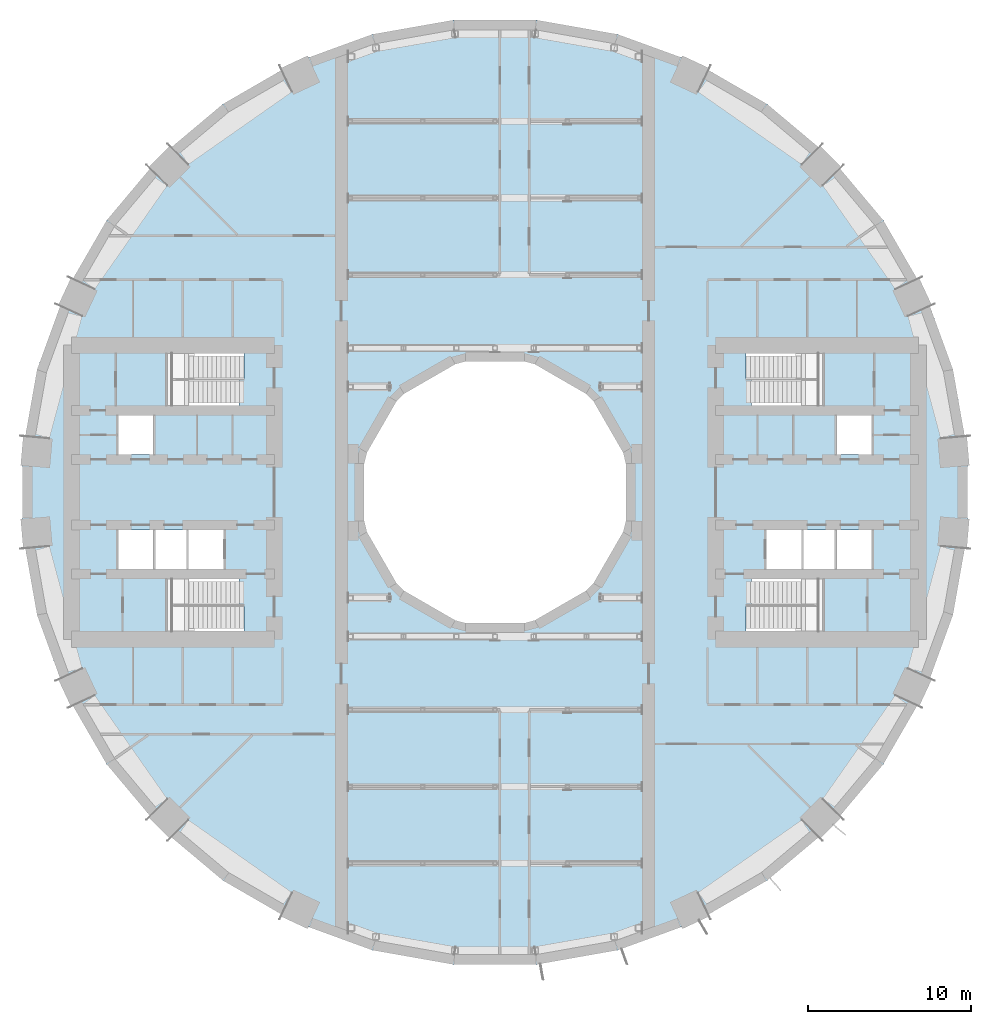
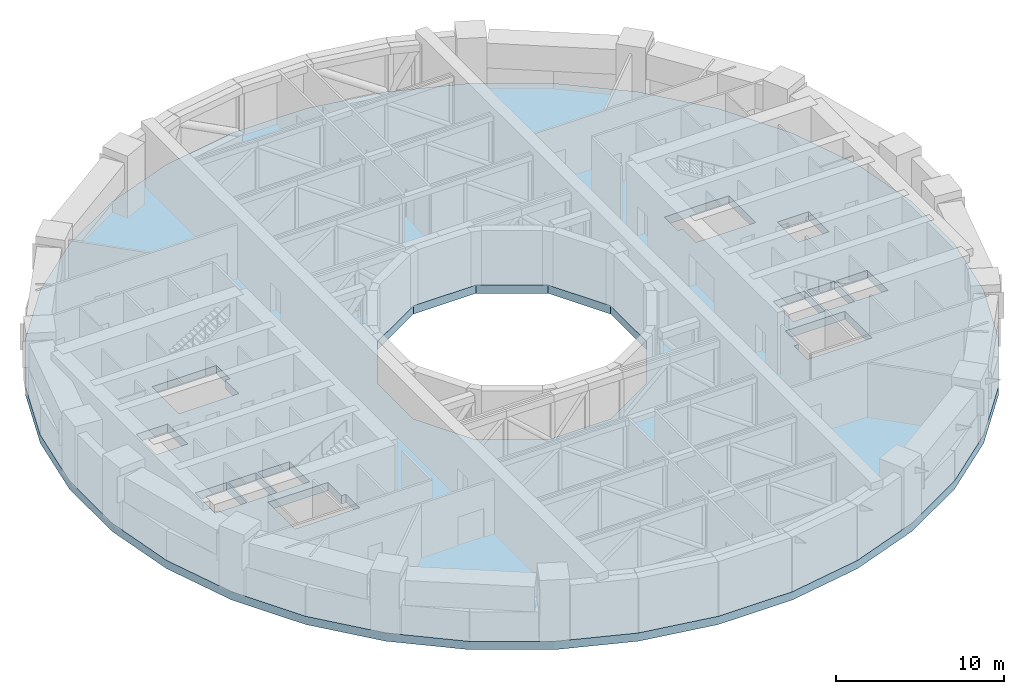
# One storey, part 9 of 21: 1 slab.
"""IFC4 building model written with IfcOpenShell, lengths in metres."""

import ifcopenshell
import ifcopenshell.guid

model = None  # the IFC model being written
_history = None  # IfcOwnerHistory: only IFC2X3 demands one
_inside = {}  # id of a spatial element -> (the spatial element, [elements in it])
_under = {}  # id of a project, library or spatial element -> (it, [spatial elements below it])
_declared = {}  # id of a project -> (the project, [libraries it declares])
_typed = {}  # id of a type object -> (the type object, [elements of that type])
_made_of = {}  # id of a material, layer set ... -> (it, [elements and type objects made of it])


def new_model(schema):
    """Start an empty IFC model of exactly this schema.

    Asked for "IFC4X3", IfcOpenShell would pick the latest addendum, in which some entities
    have other attributes; the version numbers below select the first issue.
    IFC2X3 requires an IfcOwnerHistory on every rooted entity: one is made here for all.
    """
    global model, _history
    if schema == "IFC4X3":
        model = ifcopenshell.file(schema_version=(4, 3, 0, 0))
    else:
        model = ifcopenshell.file(schema=schema)
    _inside.clear()
    _under.clear()
    _declared.clear()
    _typed.clear()
    _made_of.clear()
    _history = None
    if model.schema == "IFC2X3":
        org = make("IfcOrganization", Name="unknown")
        user = make(
            "IfcPersonAndOrganization",
            ThePerson=make("IfcPerson", FamilyName="unknown"),
            TheOrganization=org,
        )
        app = make(
            "IfcApplication",
            ApplicationDeveloper=org,
            Version="unknown",
            ApplicationFullName="unknown",
            ApplicationIdentifier="unknown",
        )
        _history = make(
            "IfcOwnerHistory",
            OwningUser=user,
            OwningApplication=app,
            ChangeAction="ADDED",
            CreationDate=0,
        )
    return model


def make(cls, **values):
    """One entity of the class cls with the attributes given. An attribute that is None is left unset."""
    return model.create_entity(
        cls, **{name: value for name, value in values.items() if value is not None}
    )


def rooted(cls, **values):
    """An entity with a GlobalId (a new one), such as an element, a storey or a relation."""
    return make(cls, GlobalId=ifcopenshell.guid.new(), OwnerHistory=_history, **values)


def si_unit(unit_type, name, prefix=None):
    """IfcSIUnit, for example si_unit("LENGTHUNIT", "METRE", prefix="MILLI")."""
    return make("IfcSIUnit", UnitType=unit_type, Prefix=prefix, Name=name)


def assignment(units):
    """IfcUnitAssignment: the units of a project."""
    return None if units is None else make("IfcUnitAssignment", Units=units)


def point(xyz):
    """IfcCartesianPoint."""
    return None if xyz is None else make("IfcCartesianPoint", Coordinates=xyz)


def direction(xyz):
    """IfcDirection."""
    return None if xyz is None else make("IfcDirection", DirectionRatios=xyz)


def frame(location, z_axis=None, x_axis=None):
    """IfcAxis2Placement3D, a coordinate frame: its origin and axes. An axis left out is left unset."""
    return make(
        "IfcAxis2Placement3D",
        Location=point(location),
        Axis=direction(z_axis),
        RefDirection=direction(x_axis),
    )


def origin():
    """The frame at (0, 0, 0) with its axes left unset."""
    return frame((0.0, 0.0, 0.0))


def place(relative_to, where):
    """IfcLocalPlacement: puts the frame where relative to a parent placement (None: the world)."""
    return make(
        "IfcLocalPlacement", PlacementRelTo=relative_to, RelativePlacement=where
    )


def context(
    kind, dimensions, precision=None, world=None, true_north=None, identifier=None
):
    """IfcGeometricRepresentationContext, for example the 3D "Model" context."""
    return make(
        "IfcGeometricRepresentationContext",
        ContextIdentifier=identifier,
        ContextType=kind,
        CoordinateSpaceDimension=dimensions,
        Precision=precision,
        WorldCoordinateSystem=world,
        TrueNorth=true_north,
    )


def subcontext(parent, identifier, kind, view, scale=None):
    """IfcGeometricRepresentationSubContext, for example "Body" below "Model"."""
    return make(
        "IfcGeometricRepresentationSubContext",
        ContextIdentifier=identifier,
        ContextType=kind,
        ParentContext=parent,
        TargetScale=scale,
        TargetView=view,
    )


def project(units=None, contexts=None):
    """IfcProject with its units and contexts."""
    return rooted(
        "IfcProject",
        Name="project",
        RepresentationContexts=contexts,
        UnitsInContext=assignment(units),
    )


def spatial(cls, under=None, at=None, **own):
    """A site, building, storey or space (cls), placed at a placement, below another one or the project."""
    s = rooted(cls, ObjectPlacement=at, **own)
    if under is not None:
        _under.setdefault(under.id(), (under, []))[1].append(s)
    return s


def polyline(points):
    """IfcPolyline through the points."""
    return make("IfcPolyline", Points=[point(p) for p in points])


def outline(outer, holes=None, kind="AREA"):
    """IfcArbitraryClosedProfileDef: a profile drawn as a closed curve; with holes, ...WithVoids."""
    if holes is None:
        return make("IfcArbitraryClosedProfileDef", ProfileType=kind, OuterCurve=outer)
    return make(
        "IfcArbitraryProfileDefWithVoids",
        ProfileType=kind,
        OuterCurve=outer,
        InnerCurves=holes,
    )


def extrude(swept, where, along, depth):
    """IfcExtrudedAreaSolid: the profile swept, set in the frame where, extruded along a direction by depth."""
    return make(
        "IfcExtrudedAreaSolid",
        SweptArea=swept,
        Position=where,
        ExtrudedDirection=direction(along),
        Depth=depth,
    )


def shape(context_of_items, identifier, shape_type, items):
    """IfcShapeRepresentation: the items that make up one representation, for example the "Body"."""
    return make(
        "IfcShapeRepresentation",
        ContextOfItems=context_of_items,
        RepresentationIdentifier=identifier,
        RepresentationType=shape_type,
        Items=items,
    )


def material(Name=None, Category=None):
    """IfcMaterial."""
    return make("IfcMaterial", Name=Name, Category=Category)


def layer(
    of_material, thickness, ventilated=None, Name=None, Category=None, Priority=None
):
    """IfcMaterialLayer: one layer of a wall or slab, of a material (None: an air gap)."""
    return make(
        "IfcMaterialLayer",
        Material=of_material,
        LayerThickness=thickness,
        IsVentilated=ventilated,
        Name=Name,
        Category=Category,
        Priority=Priority,
    )


def layer_set(layers, Name=None):
    """IfcMaterialLayerSet."""
    return make("IfcMaterialLayerSet", MaterialLayers=layers, LayerSetName=Name)


def made_of(thing, what):
    """Note that an element or type object is made of a material, layer set ...; save() writes the relation."""
    if what is not None:
        _made_of.setdefault(what.id(), (what, []))[1].append(thing)
    return thing


def type_object(cls, material=None, **own):
    """A type object (cls), such as IfcWallType, which elements share."""
    return made_of(rooted(cls, **own), material)


def element(
    cls,
    number,
    at=None,
    inside=None,
    cuts=None,
    type_object=None,
    material=None,
    context=None,
    identifier="Body",
    shape_type=None,
    held_by="IfcProductDefinitionShape",
    body=None,
    shapes=None,
    **own,
):
    """One element of the class cls, such as IfcWall. Its Tag is "e" and its number.

    at: its placement. inside: the storey or other place that contains it. cuts: it is an
    opening in that element (IfcRelVoidsElement). A single representation is given by context,
    identifier, shape_type and body (its items); several are given by shapes. held_by: the class
    of the entity that holds the representations. save() writes the other relations.
    """
    e = rooted(cls, Tag="e%d" % number, ObjectPlacement=at, **own)
    if body is not None:
        shapes = [shape(context, identifier, shape_type, body)]
    if shapes is not None:
        e.Representation = make(held_by, Representations=shapes)
    if inside is not None:
        _inside.setdefault(inside.id(), (inside, []))[1].append(e)
    if cuts is not None:
        rooted(
            "IfcRelVoidsElement", RelatingBuildingElement=cuts, RelatedOpeningElement=e
        )
    if type_object is not None:
        _typed.setdefault(type_object.id(), (type_object, []))[1].append(e)
    return made_of(e, material)


def aggregate(whole, parts):
    """IfcRelAggregates: a whole, such as a stair, and the parts it consists of."""
    return rooted("IfcRelAggregates", RelatingObject=whole, RelatedObjects=parts)


def save(model, path):
    """Write the relations noted so far, then the file.

    IfcRelAggregates (storeys below a building ...), IfcRelContainedInSpatialStructure (elements
    in a storey), IfcRelDefinesByType, IfcRelAssociatesMaterial and IfcRelDeclares: one each for
    every whole, place, type object, material and project.
    """
    for whole, parts in _under.values():
        aggregate(whole, parts)
    for where, things in _inside.values():
        rooted(
            "IfcRelContainedInSpatialStructure",
            RelatedElements=things,
            RelatingStructure=where,
        )
    for kind, things in _typed.values():
        rooted("IfcRelDefinesByType", RelatedObjects=things, RelatingType=kind)
    for what, things in _made_of.values():
        rooted("IfcRelAssociatesMaterial", RelatedObjects=things, RelatingMaterial=what)
    for by, libraries in _declared.values():
        rooted("IfcRelDeclares", RelatingContext=by, RelatedDefinitions=libraries)
    model.write(path)


model = new_model("IFC4")

# Units and contexts
model_context = context("Model", 3, precision=1e-05, world=origin(), true_north=direction((0.0, 1.0)))
body_context = subcontext(model_context, "Body", "Model", "MODEL_VIEW")
ifc_project = project(units=[si_unit("LENGTHUNIT", "METRE"), si_unit("AREAUNIT", "SQUARE_METRE"), si_unit("VOLUMEUNIT", "CUBIC_METRE"), si_unit("PLANEANGLEUNIT", "RADIAN"), si_unit("MASSUNIT", "GRAM", prefix="KILO")], contexts=[model_context])

# Site, building, storey
site_placement = place(None, origin())
site = spatial("IfcSite", under=ifc_project, at=site_placement, CompositionType="ELEMENT")
building_placement = place(site_placement, origin())
building = spatial("IfcBuilding", under=site, at=building_placement, Name="Saqina Gate Tower", CompositionType="ELEMENT")
storey_placement = place(building_placement, frame((0.0, 0.0, 21.800048828125)))
storey = spatial("IfcBuildingStorey", under=building, at=storey_placement, Name="L05", CompositionType="ELEMENT", Elevation=21.800048828125)

# Slab
ifc_material = material(Name="Concrete C40/50", Category="concrete")
ifc_layer = layer(ifc_material, 0.60009765625)
ifc_layer_set = layer_set([ifc_layer], Name="Concrete C40/50")
slab_type = type_object("IfcSlabType", Name="STR-POST-TENSIONED FLAT PLATE FLOOR-600", PredefinedType="FLOOR", material=ifc_layer_set)
slab_placement = place(storey_placement, frame((0.0, 0.0, -0.60009765625)))
element("IfcSlab", 1, at=slab_placement, inside=storey, type_object=slab_type, Name="L05-SLB01", PredefinedType="FLOOR", context=body_context, shape_type="SweptSolid", body=[
    extrude(outline(polyline([(28.011962890625, -7.505859375), (28.8896484375, -2.527587890625), (28.8896484375, 2.527587890625), (28.011962890625, 7.505859375), (26.282958984375, 12.255859375), (23.75537109375, 16.6337890625), (20.506103515625, 20.506103515625), (16.6337890625, 23.75537109375), (12.255859375, 26.282958984375), (7.505859375, 28.011962890625), (2.527587890625, 28.8896484375), (-2.527587890625, 28.8896484375), (-7.505859375, 28.011962890625), (-12.255859375, 26.282958984375), (-16.6337890625, 23.75537109375), (-20.506103515625, 20.506103515625), (-23.75537109375, 16.6337890625), (-26.282958984375, 12.255859375), (-28.011962890625, 7.505859375), (-28.8896484375, 2.527587890625), (-28.8896484375, -2.527587890625), (-28.011962890625, -7.505859375), (-26.282958984375, -12.255859375), (-23.75537109375, -16.6337890625), (-20.506103515625, -20.506103515625), (-16.6337890625, -23.75537109375), (-12.255859375, -26.282958984375), (-7.505859375, -28.011962890625), (-2.527587890625, -28.8896484375), (2.527587890625, -28.8896484375), (7.505859375, -28.011962890625), (12.255859375, -26.282958984375), (16.6337890625, -23.75537109375), (20.506103515625, -20.506103515625), (23.75537109375, -16.6337890625), (26.282958984375, -12.255859375), (28.011962890625, -7.505859375)]), holes=[polyline([(2.1435546875, 8.0), (5.8564453125, 5.8564453125), (8.0, 2.1435546875), (8.0, -2.1435546875), (5.8564453125, -5.8564453125), (2.1435546875, -8.0), (-2.1435546875, -8.0), (-5.8564453125, -5.8564453125), (-8.0, -2.1435546875), (-8.0, 2.1435546875), (-5.8564453125, 5.8564453125), (-2.1435546875, 8.0), (2.1435546875, 8.0)]), polyline([(-19.780029296875, -8.5), (-19.780029296875, -6.89990234375), (-19.780029296875, -5.300048828125), (-15.67529296875, -5.300048828125), (-15.67529296875, -6.89990234375), (-15.35498046875, -6.89990234375), (-15.35498046875, -8.5), (-19.780029296875, -8.5)]), polyline([(-20.89990234375, -2.300048828125), (-20.89990234375, -4.699951171875), (-23.06005859375, -4.699951171875), (-23.06005859375, -2.300048828125), (-20.89990234375, -2.300048828125)]), polyline([(-18.8701171875, -2.300048828125), (-18.8701171875, -4.699951171875), (-20.780029296875, -4.699951171875), (-20.780029296875, -2.300048828125), (-18.8701171875, -2.300048828125)]), polyline([(-16.590087890625, -2.300048828125), (-16.590087890625, -4.699951171875), (-18.75, -4.699951171875), (-18.75, -2.300048828125), (-16.590087890625, -2.300048828125)]), polyline([(-20.89990234375, 4.699951171875), (-20.89990234375, 2.300048828125), (-23.06005859375, 2.300048828125), (-23.06005859375, 4.699951171875), (-20.89990234375, 4.699951171875)]), polyline([(-19.780029296875, 6.89990234375), (-19.780029296875, 8.5), (-15.35498046875, 8.5), (-15.35498046875, 6.89990234375), (-15.67529296875, 6.89990234375), (-15.67529296875, 5.300048828125), (-19.780029296875, 5.300048828125), (-19.780029296875, 6.89990234375)]), polyline([(15.35498046875, -6.89990234375), (15.67529296875, -6.89990234375), (15.67529296875, -5.300048828125), (19.780029296875, -5.300048828125), (19.780029296875, -6.89990234375), (19.780029296875, -8.5), (15.35498046875, -8.5), (15.35498046875, -6.89990234375)]), polyline([(18.75, -2.300048828125), (18.75, -4.699951171875), (16.590087890625, -4.699951171875), (16.590087890625, -2.300048828125), (18.75, -2.300048828125)]), polyline([(20.780029296875, -2.300048828125), (20.780029296875, -4.699951171875), (18.8701171875, -4.699951171875), (18.8701171875, -2.300048828125), (20.780029296875, -2.300048828125)]), polyline([(23.06005859375, -2.300048828125), (23.06005859375, -4.699951171875), (20.89990234375, -4.699951171875), (20.89990234375, -2.300048828125), (23.06005859375, -2.300048828125)]), polyline([(23.06005859375, 4.699951171875), (23.06005859375, 2.300048828125), (20.89990234375, 2.300048828125), (20.89990234375, 4.699951171875), (23.06005859375, 4.699951171875)]), polyline([(15.67529296875, 6.89990234375), (15.35498046875, 6.89990234375), (15.35498046875, 8.5), (19.780029296875, 8.5), (19.780029296875, 6.89990234375), (19.780029296875, 5.300048828125), (15.67529296875, 5.300048828125), (15.67529296875, 6.89990234375)])]), origin(), (0.0, 0.0, 1.0), 0.60009765625),
])

save(model, "model.ifc")
